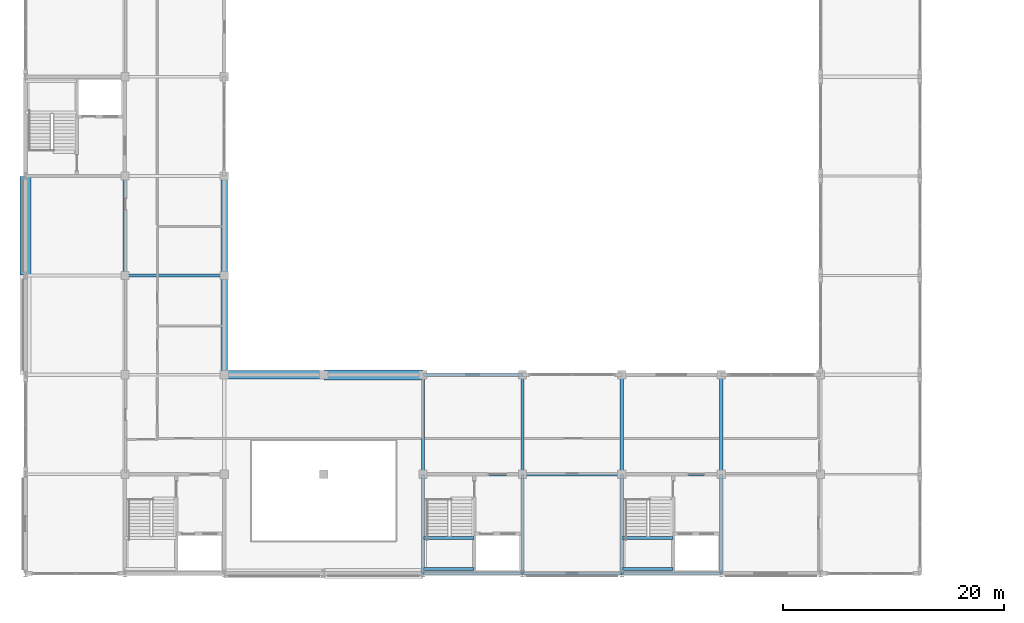
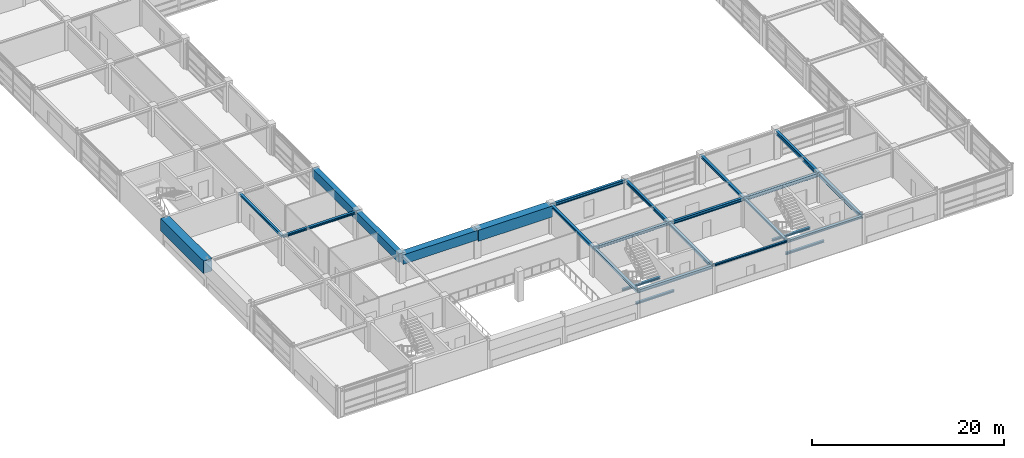
# One storey, part 20 of 79: 26 beams.
"""IFC4 building model written with IfcOpenShell, lengths in metres."""

from ifc_helpers import new_model, si_unit, direction, frame, origin, origin_2d, place, context, subcontext, project, spatial, rectangle, i_section, extrude, material, material_profile, profile_set, type_object, element, save


model = new_model("IFC4")

# Units and contexts
model_context = context("Model", 3, precision=1e-05, world=origin(), true_north=direction((0.0, 1.0)))
body_context = subcontext(model_context, "Body", "Model", "MODEL_VIEW")
ifc_project = project(units=[si_unit("LENGTHUNIT", "METRE"), si_unit("AREAUNIT", "SQUARE_METRE"), si_unit("VOLUMEUNIT", "CUBIC_METRE"), si_unit("PLANEANGLEUNIT", "RADIAN"), si_unit("MASSUNIT", "GRAM", prefix="KILO")], contexts=[model_context])

# Site, building, storey
site_placement = place(None, origin())
site = spatial("IfcSite", under=ifc_project, at=site_placement, CompositionType="ELEMENT")
building_placement = place(site_placement, origin())
building = spatial("IfcBuilding", under=site, at=building_placement, Name="Palais des Congres Ocreval", CompositionType="ELEMENT")
storey_placement = place(building_placement, frame((0.0, 0.0, 4.320068359375)))
storey = spatial("IfcBuildingStorey", under=building, at=storey_placement, Name="L01", CompositionType="ELEMENT", Elevation=4.320068359375)

# Beams
ifc_material_1 = material(Name="Steel S355", Category="steel")
ifc_material_profile_1 = material_profile(ifc_material_1, i_section(OverallWidth=0.260009765625, OverallDepth=0.260009765625, WebThickness=0.010009765625, FlangeThickness=0.017578125, at=origin_2d()), Name="HEB 260")
ifc_profile_set_1 = profile_set([ifc_material_profile_1], Name="Steel S355")
beam_type_1 = type_object("IfcBeamType", Name="Opening Lintel HEB 260 Steel S355", PredefinedType="LINTEL", material=ifc_profile_set_1)
beam_1_placement = place(storey_placement, frame((54.0, 0.02001953125, 3.449951171875), z_axis=(0.0, 1.0, 0.0), x_axis=(-1.0, 0.0, 0.0)))
element("IfcBeam", 1, at=beam_1_placement, inside=storey, type_object=beam_type_1, Name="Girder LN01 L01", PredefinedType="LINTEL", context=body_context, shape_type="SweptSolid", body=[
    extrude(i_section(OverallWidth=0.260009765625, OverallDepth=0.260009765625, WebThickness=0.010009765625, FlangeThickness=0.017578125, at=origin_2d()), origin(), (0.0, 0.0, 1.0), 8.9599609375),
])
for number, where, z_axis, x_axis, name in (
    (2, (36.02001953125, 0.419921875, 1.58984375), (1.0, 0.0, 0.0), (0.0, 1.0, 0.0), "Stair Landing Support Beam ST02 L01-1"),
    (3, (36.02001953125, 3.22998046875, 1.58984375), (1.0, 0.0, 0.0), (0.0, 1.0, 0.0), "Stair Landing Support Beam ST02 L01-2"),
    (4, (54.02001953125, 0.419921875, 1.58984375), (1.0, 0.0, 0.0), (0.0, 1.0, 0.0), "Stair Landing Support Beam ST04 L01-1"),
    (5, (54.02001953125, 3.22998046875, 1.58984375), (1.0, 0.0, 0.0), (0.0, 1.0, 0.0), "Stair Landing Support Beam ST04 L01-2"),
):
    element("IfcBeam", number, at=place(storey_placement, frame(where, z_axis=z_axis, x_axis=x_axis)), inside=storey, type_object=beam_type_1, Name=name, PredefinedType="LINTEL", context=body_context, shape_type="SweptSolid", body=[
        extrude(i_section(OverallWidth=0.260009765625, OverallDepth=0.260009765625, WebThickness=0.010009765625, FlangeThickness=0.017578125, at=origin_2d()), origin(), (0.0, 0.0, 1.0), 4.60986328125),
    ])
ifc_material_profile_2 = material_profile(ifc_material_1, i_section(OverallWidth=0.239990234375, OverallDepth=0.22998046875, WebThickness=0.007568359375, FlangeThickness=0.011962890625, at=origin_2d()), Name="HEA 240")
ifc_profile_set_2 = profile_set([ifc_material_profile_2], Name="Steel S355")
beam_type_2 = type_object("IfcBeamType", Name="Perimeter Spandrel HEA 240 Steel S355", PredefinedType="SPANDREL", material=ifc_profile_set_2)
beam_2_placement = place(storey_placement, frame((45.02001953125, 0.0, 3.46484375), z_axis=(1.0, 0.0, 0.0), x_axis=(0.0, 1.0, 0.0)))
element("IfcBeam", 6, at=beam_2_placement, inside=storey, type_object=beam_type_2, Name="Beam SP01 L01", PredefinedType="SPANDREL", context=body_context, shape_type="SweptSolid", body=[
    extrude(i_section(OverallWidth=0.239990234375, OverallDepth=0.22998046875, WebThickness=0.007568359375, FlangeThickness=0.011962890625, at=origin_2d()), origin(), (0.0, 0.0, 1.0), 8.9599609375),
])
ifc_material_profile_3 = material_profile(ifc_material_1, i_section(OverallWidth=0.300048828125, OverallDepth=0.300048828125, WebThickness=0.010986328125, FlangeThickness=0.01904296875, at=origin_2d()), Name="HEB 300")
ifc_profile_set_3 = profile_set([ifc_material_profile_3], Name="Steel S355")
beam_type_3 = type_object("IfcBeamType", Name="Perimeter Spandrel HEB 300 Steel S355", PredefinedType="SPANDREL", material=ifc_profile_set_3)
for number, where, z_axis, x_axis, name in (
    (7, (54.02001953125, 0.0, 3.429931640625), (1.0, 0.0, 0.0), (0.0, 1.0, 0.0), "Beam SP02 L01"),
    (8, (54.0, 9.02001953125, 3.429931640625), (0.0, 1.0, 0.0), (-1.0, 0.0, 0.0), "Girder SP02 L01"),
):
    element("IfcBeam", number, at=place(storey_placement, frame(where, z_axis=z_axis, x_axis=x_axis)), inside=storey, type_object=beam_type_3, Name=name, PredefinedType="SPANDREL", context=body_context, shape_type="SweptSolid", body=[
        extrude(i_section(OverallWidth=0.300048828125, OverallDepth=0.300048828125, WebThickness=0.010986328125, FlangeThickness=0.01904296875, at=origin_2d()), origin(), (0.0, 0.0, 1.0), 8.9599609375),
    ])
ifc_material_profile_4 = material_profile(ifc_material_1, i_section(OverallWidth=0.300048828125, OverallDepth=0.39990234375, WebThickness=0.013427734375, FlangeThickness=0.02392578125, at=origin_2d()), Name="HEB 400")
ifc_profile_set_4 = profile_set([ifc_material_profile_4], Name="Steel S355")
beam_type_4 = type_object("IfcBeamType", Name="Perimeter Spandrel HEB 400 Steel S355", PredefinedType="SPANDREL", material=ifc_profile_set_4)
for number, where, z_axis, x_axis, name in (
    (9, (36.02001953125, 0.0, 3.3798828125), (1.0, 0.0, 0.0), (0.0, 1.0, 0.0), "Beam SP04 L01"),
    (10, (36.02001953125, 18.0, 3.3798828125), (1.0, 0.0, 0.0), (0.0, 1.0, 0.0), "Beam SP04 L01"),
):
    element("IfcBeam", number, at=place(storey_placement, frame(where, z_axis=z_axis, x_axis=x_axis)), inside=storey, type_object=beam_type_4, Name=name, PredefinedType="SPANDREL", context=body_context, shape_type="SweptSolid", body=[
        extrude(i_section(OverallWidth=0.300048828125, OverallDepth=0.39990234375, WebThickness=0.013427734375, FlangeThickness=0.02392578125, at=origin_2d()), origin(), (0.0, 0.0, 1.0), 8.9599609375),
    ])
ifc_material_2 = material(Name="Concrete C40/50", Category="concrete")
ifc_material_profile_5 = material_profile(ifc_material_2, rectangle(XDim=0.60009765625, YDim=1.10009765625, at=origin_2d()), Name="RC 600x1100")
ifc_profile_set_5 = profile_set([ifc_material_profile_5], Name="Concrete C40/50")
beam_type_5 = type_object("IfcBeamType", Name="Podium Beam RC 600x1100 Concrete C40/50", PredefinedType="T_BEAM", material=ifc_profile_set_5)
for number, where, z_axis, x_axis, name in (
    (11, (18.0, 18.02001953125, 3.030029296875), (0.0, 1.0, 0.0), (-1.0, 0.0, 0.0), "Girder TG05 L01"),
    (12, (18.0, 27.02001953125, 3.030029296875), (0.0, 1.0, 0.0), (-1.0, 0.0, 0.0), "Girder TG05 L01"),
):
    element("IfcBeam", number, at=place(storey_placement, frame(where, z_axis=z_axis, x_axis=x_axis)), inside=storey, type_object=beam_type_5, Name=name, PredefinedType="T_BEAM", context=body_context, shape_type="SweptSolid", body=[
        extrude(rectangle(XDim=0.60009765625, YDim=1.10009765625, at=origin_2d()), origin(), (0.0, 0.0, 1.0), 8.9599609375),
    ])
ifc_material_profile_6 = material_profile(ifc_material_1, i_section(OverallWidth=0.300048828125, OverallDepth=0.2900390625, WebThickness=0.008544921875, FlangeThickness=0.013916015625, at=origin_2d()), Name="HEA 300")
ifc_profile_set_6 = profile_set([ifc_material_profile_6], Name="Steel S355")
beam_type_6 = type_object("IfcBeamType", Name="Primary Beam HEA 300 Steel S355", PredefinedType="BEAM", material=ifc_profile_set_6)
for number, where, z_axis, x_axis, name in (
    (13, (9.02001953125, 27.0, 3.434814453125), (1.0, 0.0, 0.0), (0.0, 1.0, 0.0), "Beam B08 L01"),
    (14, (9.0, 27.02001953125, 3.434814453125), (0.0, 1.0, 0.0), (-1.0, 0.0, 0.0), "Girder B08 L01"),
    (15, (36.0, 0.02001953125, 3.434814453125), (0.0, 1.0, 0.0), (-1.0, 0.0, 0.0), "Girder B08 L01"),
):
    element("IfcBeam", number, at=place(storey_placement, frame(where, z_axis=z_axis, x_axis=x_axis)), inside=storey, type_object=beam_type_6, Name=name, PredefinedType="BEAM", context=body_context, shape_type="SweptSolid", body=[
        extrude(i_section(OverallWidth=0.300048828125, OverallDepth=0.2900390625, WebThickness=0.008544921875, FlangeThickness=0.013916015625, at=origin_2d()), origin(), (0.0, 0.0, 1.0), 8.9599609375),
    ])
ifc_material_profile_7 = material_profile(ifc_material_1, i_section(OverallWidth=0.300048828125, OverallDepth=0.330078125, WebThickness=0.009521484375, FlangeThickness=0.0166015625, at=origin_2d()), Name="HEA 340")
ifc_profile_set_7 = profile_set([ifc_material_profile_7], Name="Steel S355")
beam_type_7 = type_object("IfcBeamType", Name="Primary Beam HEA 340 Steel S355", PredefinedType="BEAM", material=ifc_profile_set_7)
for number, where, z_axis, x_axis, name in (
    (16, (36.02001953125, 9.0, 3.4150390625), (1.0, 0.0, 0.0), (0.0, 1.0, 0.0), "Beam B09 L01"),
    (17, (36.0, 9.02001953125, 3.4150390625), (0.0, 1.0, 0.0), (-1.0, 0.0, 0.0), "Girder B09 L01"),
    (18, (45.0, 0.02001953125, 3.4150390625), (0.0, 1.0, 0.0), (-1.0, 0.0, 0.0), "Girder B09 L01"),
):
    element("IfcBeam", number, at=place(storey_placement, frame(where, z_axis=z_axis, x_axis=x_axis)), inside=storey, type_object=beam_type_7, Name=name, PredefinedType="BEAM", context=body_context, shape_type="SweptSolid", body=[
        extrude(i_section(OverallWidth=0.300048828125, OverallDepth=0.330078125, WebThickness=0.009521484375, FlangeThickness=0.0166015625, at=origin_2d()), origin(), (0.0, 0.0, 1.0), 8.9599609375),
    ])
ifc_material_profile_8 = material_profile(ifc_material_1, i_section(OverallWidth=0.300048828125, OverallDepth=0.389892578125, WebThickness=0.010986328125, FlangeThickness=0.01904296875, at=origin_2d()), Name="HEA 400")
ifc_profile_set_8 = profile_set([ifc_material_profile_8], Name="Steel S355")
beam_type_8 = type_object("IfcBeamType", Name="Primary Beam HEA 400 Steel S355", PredefinedType="BEAM", material=ifc_profile_set_8)
for number, where, z_axis, x_axis, name in (
    (19, (45.02001953125, 9.0, 3.385009765625), (1.0, 0.0, 0.0), (0.0, 1.0, 0.0), "Beam B10 L01"),
    (20, (45.0, 9.02001953125, 3.385009765625), (0.0, 1.0, 0.0), (-1.0, 0.0, 0.0), "Girder B10 L01"),
):
    element("IfcBeam", number, at=place(storey_placement, frame(where, z_axis=z_axis, x_axis=x_axis)), inside=storey, type_object=beam_type_8, Name=name, PredefinedType="BEAM", context=body_context, shape_type="SweptSolid", body=[
        extrude(i_section(OverallWidth=0.300048828125, OverallDepth=0.389892578125, WebThickness=0.010986328125, FlangeThickness=0.01904296875, at=origin_2d()), origin(), (0.0, 0.0, 1.0), 8.9599609375),
    ])
ifc_material_profile_9 = material_profile(ifc_material_1, i_section(OverallWidth=0.300048828125, OverallDepth=0.43994140625, WebThickness=0.011474609375, FlangeThickness=0.02099609375, at=origin_2d()), Name="HEA 450")
ifc_profile_set_9 = profile_set([ifc_material_profile_9], Name="Steel S355")
beam_type_9 = type_object("IfcBeamType", Name="Primary Beam HEA 450 Steel S355", PredefinedType="BEAM", material=ifc_profile_set_9)
for number, where, z_axis, x_axis, name in (
    (21, (54.02001953125, 9.0, 3.35986328125), (1.0, 0.0, 0.0), (0.0, 1.0, 0.0), "Beam B11 L01"),
    (22, (63.0, 0.02001953125, 3.35986328125), (0.0, 1.0, 0.0), (-1.0, 0.0, 0.0), "Girder B11 L01"),
):
    element("IfcBeam", number, at=place(storey_placement, frame(where, z_axis=z_axis, x_axis=x_axis)), inside=storey, type_object=beam_type_9, Name=name, PredefinedType="BEAM", context=body_context, shape_type="SweptSolid", body=[
        extrude(i_section(OverallWidth=0.300048828125, OverallDepth=0.43994140625, WebThickness=0.011474609375, FlangeThickness=0.02099609375, at=origin_2d()), origin(), (0.0, 0.0, 1.0), 8.9599609375),
    ])
ifc_material_profile_10 = material_profile(ifc_material_1, i_section(OverallWidth=0.300048828125, OverallDepth=0.489990234375, WebThickness=0.011962890625, FlangeThickness=0.02294921875, at=origin_2d()), Name="HEA 500")
ifc_profile_set_10 = profile_set([ifc_material_profile_10], Name="Steel S355")
beam_type_10 = type_object("IfcBeamType", Name="Primary Beam HEA 500 Steel S355", PredefinedType="BEAM", material=ifc_profile_set_10)
beam_3_placement = place(storey_placement, frame((63.0, 9.02001953125, 3.3349609375), z_axis=(0.0, 1.0, 0.0), x_axis=(-1.0, 0.0, 0.0)))
element("IfcBeam", 23, at=beam_3_placement, inside=storey, type_object=beam_type_10, Name="Girder B12 L01", PredefinedType="BEAM", context=body_context, shape_type="SweptSolid", body=[
    extrude(i_section(OverallWidth=0.300048828125, OverallDepth=0.489990234375, WebThickness=0.011962890625, FlangeThickness=0.02294921875, at=origin_2d()), origin(), (0.0, 0.0, 1.0), 8.9599609375),
])
ifc_material_profile_11 = material_profile(ifc_material_2, rectangle(XDim=1.0, YDim=1.60009765625, at=origin_2d()), Name="RC 1000x1600")
ifc_profile_set_11 = profile_set([ifc_material_profile_11], Name="Concrete C40/50")
beam_type_11 = type_object("IfcBeamType", Name="Transfer T-Beam RC 1000x1600 Concrete C40/50", PredefinedType="T_BEAM", material=ifc_profile_set_11)
beam_4_placement = place(storey_placement, frame((0.0, 27.02001953125, 2.780029296875), z_axis=(0.0, 1.0, 0.0), x_axis=(-1.0, 0.0, 0.0)))
element("IfcBeam", 24, at=beam_4_placement, inside=storey, type_object=beam_type_11, Name="Girder TG08 L01", PredefinedType="T_BEAM", context=body_context, shape_type="SweptSolid", body=[
    extrude(rectangle(XDim=1.0, YDim=1.60009765625, at=origin_2d()), origin(), (0.0, 0.0, 1.0), 8.9599609375),
])
ifc_material_profile_12 = material_profile(ifc_material_2, rectangle(XDim=0.800048828125, YDim=1.199951171875, at=origin_2d()), Name="RC 800x1200")
ifc_profile_set_12 = profile_set([ifc_material_profile_12], Name="Concrete C40/50")
beam_type_12 = type_object("IfcBeamType", Name="Transfer T-Beam RC 800x1200 Concrete C40/50", PredefinedType="T_BEAM", material=ifc_profile_set_12)
beam_5_placement = place(storey_placement, frame((18.02001953125, 18.0, 2.97998046875), z_axis=(1.0, 0.0, 0.0), x_axis=(0.0, 1.0, 0.0)))
element("IfcBeam", 25, at=beam_5_placement, inside=storey, type_object=beam_type_12, Name="Beam TG06 L01", PredefinedType="T_BEAM", context=body_context, shape_type="SweptSolid", body=[
    extrude(rectangle(XDim=0.800048828125, YDim=1.199951171875, at=origin_2d()), origin(), (0.0, 0.0, 1.0), 8.9599609375),
])
ifc_material_profile_13 = material_profile(ifc_material_2, rectangle(XDim=0.89990234375, YDim=1.39990234375, at=origin_2d()), Name="RC 900x1400")
ifc_profile_set_13 = profile_set([ifc_material_profile_13], Name="Concrete C40/50")
beam_type_13 = type_object("IfcBeamType", Name="Transfer T-Beam RC 900x1400 Concrete C40/50", PredefinedType="T_BEAM", material=ifc_profile_set_13)
beam_6_placement = place(storey_placement, frame((27.02001953125, 18.0, 2.8798828125), z_axis=(1.0, 0.0, 0.0), x_axis=(0.0, 1.0, 0.0)))
element("IfcBeam", 26, at=beam_6_placement, inside=storey, type_object=beam_type_13, Name="Beam TG07 L01", PredefinedType="T_BEAM", context=body_context, shape_type="SweptSolid", body=[
    extrude(rectangle(XDim=0.89990234375, YDim=1.39990234375, at=origin_2d()), origin(), (0.0, 0.0, 1.0), 8.9599609375),
])

save(model, "model.ifc")
